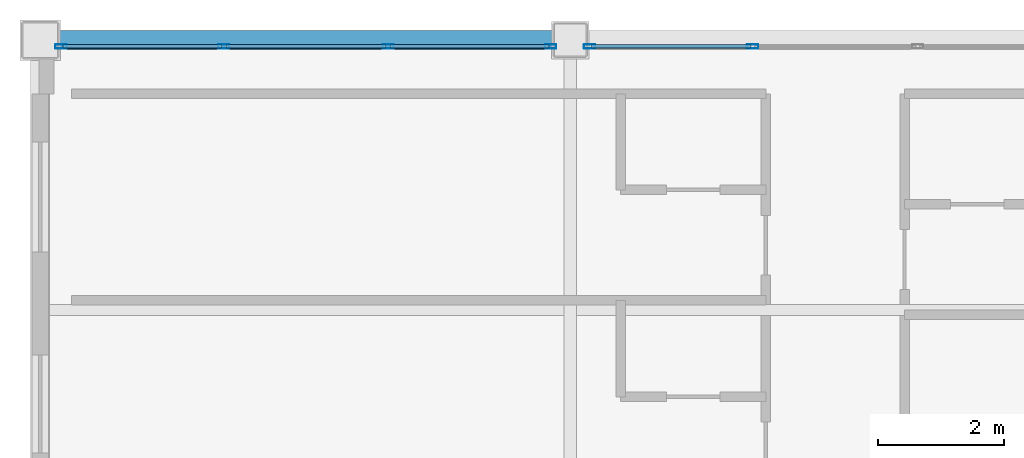
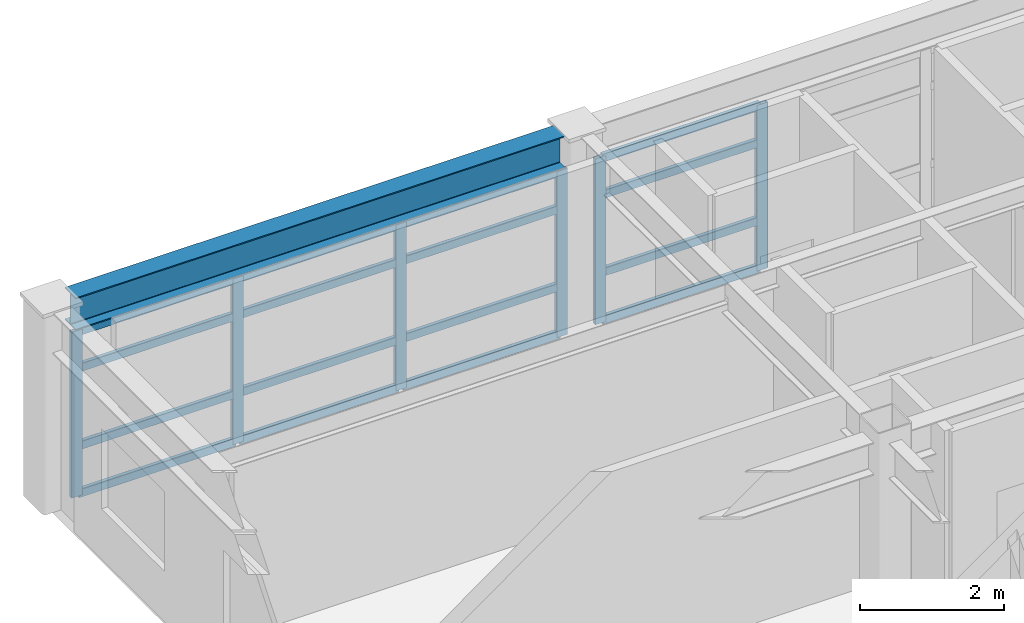
# One storey, part 19 of 36: 22 members, 1 beam, 2 elements without a shape of their own.
"""IFC4 building model written with IfcOpenShell, lengths in metres."""

from ifc_helpers import new_model, si_unit, direction, frame, origin, origin_2d, place, context, subcontext, project, spatial, hollow_rectangle, i_section, extrude, material, layer, layer_set, material_profile, profile_set, type_object, element, aggregate, save


model = new_model("IFC4")

# Units and contexts
model_context = context("Model", 3, precision=1e-05, world=origin(), true_north=direction((0.0, 1.0)))
body_context = subcontext(model_context, "Body", "Model", "MODEL_VIEW")
ifc_project = project(units=[si_unit("LENGTHUNIT", "METRE"), si_unit("AREAUNIT", "SQUARE_METRE"), si_unit("VOLUMEUNIT", "CUBIC_METRE"), si_unit("PLANEANGLEUNIT", "RADIAN"), si_unit("MASSUNIT", "GRAM", prefix="KILO")], contexts=[model_context])

# Site, building, storey
site_placement = place(None, origin())
site = spatial("IfcSite", under=ifc_project, at=site_placement, CompositionType="ELEMENT")
building_placement = place(site_placement, origin())
building = spatial("IfcBuilding", under=site, at=building_placement, Name="Kazehara Bluff Congress Hotel", CompositionType="ELEMENT")
storey_placement = place(building_placement, frame((0.0, 0.0, 28.199951171875)))
storey = spatial("IfcBuildingStorey", under=building, at=storey_placement, Name="L06", CompositionType="ELEMENT", Elevation=28.199951171875)

# Curtain wall, members
ifc_material_1 = material(Name="Anodised aluminium", Category="aluminium")
ifc_layer_1 = layer(ifc_material_1, 0.159912109375)
ifc_layer_set_1 = layer_set([ifc_layer_1], Name="Anodised aluminium")
curtain_wall_type_1 = type_object("IfcCurtainWallType", Name="TP-CW-171", PredefinedType="NOTDEFINED", material=ifc_layer_set_1)
curtain_wall_1_placement = place(storey_placement, origin())
curtain_wall_1 = element("IfcCurtainWall", 1, at=curtain_wall_1_placement, inside=storey, type_object=curtain_wall_type_1, Name="L06 curtain wall CW-171 CW-ENC-V5-L06-14791-10535", PredefinedType="NOTDEFINED")
ifc_material_2 = material(Name="Anodised aluminium", Category="aluminium")
ifc_material_profile_1 = material_profile(ifc_material_2, hollow_rectangle(XDim=0.06494140625, YDim=0.179931640625, WallThickness=0.00390625, InnerFilletRadius=0.00390625, OuterFilletRadius=0.008056640625, at=origin_2d()))
ifc_profile_set_1 = profile_set([ifc_material_profile_1], Name="Anodised aluminium")
member_type_1 = type_object("IfcMemberType", Name="TP-CWM-02", PredefinedType="MULLION", material=ifc_profile_set_1)
member_1_placement = place(storey_placement, frame((144.032470703125, 105.35009765625, 0.0), z_axis=(0.0, 0.0, 1.0), x_axis=(0.0, 1.0, 0.0)))
member_1 = element("IfcMember", 2, at=member_1_placement, type_object=member_type_1, Name="CW-171 mullion 1", PredefinedType="MULLION", context=body_context, shape_type="SweptSolid", body=[
    extrude(hollow_rectangle(XDim=0.06494140625, YDim=0.179931640625, WallThickness=0.00390625, InnerFilletRadius=0.00390625, OuterFilletRadius=0.008056640625, at=origin_2d()), origin(), (0.0, 0.0, 1.0), 2.804931640625),
])
member_2_placement = place(storey_placement, frame((146.6083984375, 105.35009765625, 0.0), z_axis=(0.0, 0.0, 1.0), x_axis=(0.0, 1.0, 0.0)))
member_2 = element("IfcMember", 3, at=member_2_placement, type_object=member_type_1, Name="CW-171 mullion 2", PredefinedType="MULLION", context=body_context, shape_type="SweptSolid", body=[
    extrude(hollow_rectangle(XDim=0.06494140625, YDim=0.179931640625, WallThickness=0.00390625, InnerFilletRadius=0.00390625, OuterFilletRadius=0.008056640625, at=origin_2d()), origin(), (0.0, 0.0, 1.0), 2.804931640625),
])
member_3_placement = place(storey_placement, frame((149.216552734375, 105.35009765625, 0.0), z_axis=(0.0, 0.0, 1.0), x_axis=(0.0, 1.0, 0.0)))
member_3 = element("IfcMember", 4, at=member_3_placement, type_object=member_type_1, Name="CW-171 mullion 3", PredefinedType="MULLION", context=body_context, shape_type="SweptSolid", body=[
    extrude(hollow_rectangle(XDim=0.06494140625, YDim=0.179931640625, WallThickness=0.00390625, InnerFilletRadius=0.00390625, OuterFilletRadius=0.008056640625, at=origin_2d()), origin(), (0.0, 0.0, 1.0), 2.804931640625),
])
member_4_placement = place(storey_placement, frame((151.79248046875, 105.35009765625, 0.0), z_axis=(0.0, 0.0, 1.0), x_axis=(0.0, 1.0, 0.0)))
member_4 = element("IfcMember", 5, at=member_4_placement, type_object=member_type_1, Name="CW-171 mullion 4", PredefinedType="MULLION", context=body_context, shape_type="SweptSolid", body=[
    extrude(hollow_rectangle(XDim=0.06494140625, YDim=0.179931640625, WallThickness=0.00390625, InnerFilletRadius=0.00390625, OuterFilletRadius=0.008056640625, at=origin_2d()), origin(), (0.0, 0.0, 1.0), 2.804931640625),
])

ifc_material_3 = material(Name="Anodised aluminium", Category="aluminium")
ifc_layer_2 = layer(ifc_material_3, 0.159912109375)
ifc_layer_set_2 = layer_set([ifc_layer_2], Name="Anodised aluminium")
curtain_wall_type_2 = type_object("IfcCurtainWallType", Name="TP-CW-172", PredefinedType="NOTDEFINED", material=ifc_layer_set_2)
curtain_wall_2_placement = place(storey_placement, origin())
curtain_wall_2 = element("IfcCurtainWall", 6, at=curtain_wall_2_placement, inside=storey, type_object=curtain_wall_type_2, Name="L06 curtain wall CW-172 CW-ENC-V5-L06-15630-10535", PredefinedType="NOTDEFINED")
member_5_placement = place(storey_placement, frame((152.407470703125, 105.35009765625, 0.0), z_axis=(0.0, 0.0, 1.0), x_axis=(0.0, 1.0, 0.0)))
member_5 = element("IfcMember", 7, at=member_5_placement, type_object=member_type_1, Name="CW-172 mullion 1", PredefinedType="MULLION", context=body_context, shape_type="SweptSolid", body=[
    extrude(hollow_rectangle(XDim=0.06494140625, YDim=0.179931640625, WallThickness=0.00390625, InnerFilletRadius=0.00390625, OuterFilletRadius=0.008056640625, at=origin_2d()), origin(), (0.0, 0.0, 1.0), 2.804931640625),
])
member_6_placement = place(storey_placement, frame((154.99169921875, 105.35009765625, 0.0), z_axis=(0.0, 0.0, 1.0), x_axis=(0.0, 1.0, 0.0)))
member_6 = element("IfcMember", 8, at=member_6_placement, type_object=member_type_1, Name="CW-172 mullion 2", PredefinedType="MULLION", context=body_context, shape_type="SweptSolid", body=[
    extrude(hollow_rectangle(XDim=0.06494140625, YDim=0.179931640625, WallThickness=0.00390625, InnerFilletRadius=0.00390625, OuterFilletRadius=0.008056640625, at=origin_2d()), origin(), (0.0, 0.0, 1.0), 2.804931640625),
])

# Member
ifc_material_4 = material(Name="Anodised aluminium", Category="aluminium")
ifc_material_profile_2 = material_profile(ifc_material_4, hollow_rectangle(XDim=0.06494140625, YDim=0.139892578125, WallThickness=0.00390625, InnerFilletRadius=0.00390625, OuterFilletRadius=0.008056640625, at=origin_2d()))
ifc_profile_set_2 = profile_set([ifc_material_profile_2], Name="Anodised aluminium")
member_type_2 = type_object("IfcMemberType", Name="TP-CWT-02", PredefinedType="USERDEFINED", material=ifc_profile_set_2)
member_7_placement = place(storey_placement, frame((144.06494140625, 105.35009765625, 0.032470703125), z_axis=(1.0, 0.0, 0.0), x_axis=(0.0, 1.0, 0.0)))
member_7 = element("IfcMember", 9, at=member_7_placement, type_object=member_type_2, Name="CW-171 transom 1.1", ObjectType="TRANSOM", PredefinedType="USERDEFINED", context=body_context, shape_type="SweptSolid", body=[
    extrude(hollow_rectangle(XDim=0.06494140625, YDim=0.139892578125, WallThickness=0.00390625, InnerFilletRadius=0.00390625, OuterFilletRadius=0.008056640625, at=origin_2d()), origin(), (0.0, 0.0, 1.0), 2.510986328125),
])

member_8_placement = place(storey_placement, frame((144.06494140625, 105.35009765625, 0.840087890625), z_axis=(1.0, 0.0, 0.0), x_axis=(0.0, 1.0, 0.0)))
member_8 = element("IfcMember", 10, at=member_8_placement, type_object=member_type_2, Name="CW-171 transom 1.2", ObjectType="TRANSOM", PredefinedType="USERDEFINED", context=body_context, shape_type="SweptSolid", body=[
    extrude(hollow_rectangle(XDim=0.06494140625, YDim=0.139892578125, WallThickness=0.00390625, InnerFilletRadius=0.00390625, OuterFilletRadius=0.008056640625, at=origin_2d()), origin(), (0.0, 0.0, 1.0), 2.510986328125),
])

member_9_placement = place(storey_placement, frame((144.06494140625, 105.35009765625, 2.155029296875), z_axis=(1.0, 0.0, 0.0), x_axis=(0.0, 1.0, 0.0)))
member_9 = element("IfcMember", 11, at=member_9_placement, type_object=member_type_2, Name="CW-171 transom 1.3", ObjectType="TRANSOM", PredefinedType="USERDEFINED", context=body_context, shape_type="SweptSolid", body=[
    extrude(hollow_rectangle(XDim=0.06494140625, YDim=0.139892578125, WallThickness=0.00390625, InnerFilletRadius=0.00390625, OuterFilletRadius=0.008056640625, at=origin_2d()), origin(), (0.0, 0.0, 1.0), 2.510986328125),
])

member_10_placement = place(storey_placement, frame((144.06494140625, 105.35009765625, 2.7724609375), z_axis=(1.0, 0.0, 0.0), x_axis=(0.0, 1.0, 0.0)))
member_10 = element("IfcMember", 12, at=member_10_placement, type_object=member_type_2, Name="CW-171 transom 1.4", ObjectType="TRANSOM", PredefinedType="USERDEFINED", context=body_context, shape_type="SweptSolid", body=[
    extrude(hollow_rectangle(XDim=0.06494140625, YDim=0.139892578125, WallThickness=0.00390625, InnerFilletRadius=0.00390625, OuterFilletRadius=0.008056640625, at=origin_2d()), origin(), (0.0, 0.0, 1.0), 2.510986328125),
])

member_11_placement = place(storey_placement, frame((146.640869140625, 105.35009765625, 0.032470703125), z_axis=(1.0, 0.0, 0.0), x_axis=(0.0, 1.0, 0.0)))
member_11 = element("IfcMember", 13, at=member_11_placement, type_object=member_type_2, Name="CW-171 transom 2.1", ObjectType="TRANSOM", PredefinedType="USERDEFINED", context=body_context, shape_type="SweptSolid", body=[
    extrude(hollow_rectangle(XDim=0.06494140625, YDim=0.139892578125, WallThickness=0.00390625, InnerFilletRadius=0.00390625, OuterFilletRadius=0.008056640625, at=origin_2d()), origin(), (0.0, 0.0, 1.0), 2.543212890625),
])

member_12_placement = place(storey_placement, frame((146.640869140625, 105.35009765625, 0.840087890625), z_axis=(1.0, 0.0, 0.0), x_axis=(0.0, 1.0, 0.0)))
member_12 = element("IfcMember", 14, at=member_12_placement, type_object=member_type_2, Name="CW-171 transom 2.2", ObjectType="TRANSOM", PredefinedType="USERDEFINED", context=body_context, shape_type="SweptSolid", body=[
    extrude(hollow_rectangle(XDim=0.06494140625, YDim=0.139892578125, WallThickness=0.00390625, InnerFilletRadius=0.00390625, OuterFilletRadius=0.008056640625, at=origin_2d()), origin(), (0.0, 0.0, 1.0), 2.543212890625),
])

member_13_placement = place(storey_placement, frame((146.640869140625, 105.35009765625, 2.155029296875), z_axis=(1.0, 0.0, 0.0), x_axis=(0.0, 1.0, 0.0)))
member_13 = element("IfcMember", 15, at=member_13_placement, type_object=member_type_2, Name="CW-171 transom 2.3", ObjectType="TRANSOM", PredefinedType="USERDEFINED", context=body_context, shape_type="SweptSolid", body=[
    extrude(hollow_rectangle(XDim=0.06494140625, YDim=0.139892578125, WallThickness=0.00390625, InnerFilletRadius=0.00390625, OuterFilletRadius=0.008056640625, at=origin_2d()), origin(), (0.0, 0.0, 1.0), 2.543212890625),
])

member_14_placement = place(storey_placement, frame((146.640869140625, 105.35009765625, 2.7724609375), z_axis=(1.0, 0.0, 0.0), x_axis=(0.0, 1.0, 0.0)))
member_14 = element("IfcMember", 16, at=member_14_placement, type_object=member_type_2, Name="CW-171 transom 2.4", ObjectType="TRANSOM", PredefinedType="USERDEFINED", context=body_context, shape_type="SweptSolid", body=[
    extrude(hollow_rectangle(XDim=0.06494140625, YDim=0.139892578125, WallThickness=0.00390625, InnerFilletRadius=0.00390625, OuterFilletRadius=0.008056640625, at=origin_2d()), origin(), (0.0, 0.0, 1.0), 2.543212890625),
])

member_15_placement = place(storey_placement, frame((149.249267578125, 105.35009765625, 0.032470703125), z_axis=(1.0, 0.0, 0.0), x_axis=(0.0, 1.0, 0.0)))
member_15 = element("IfcMember", 17, at=member_15_placement, type_object=member_type_2, Name="CW-171 transom 3.1", ObjectType="TRANSOM", PredefinedType="USERDEFINED", context=body_context, shape_type="SweptSolid", body=[
    extrude(hollow_rectangle(XDim=0.06494140625, YDim=0.139892578125, WallThickness=0.00390625, InnerFilletRadius=0.00390625, OuterFilletRadius=0.008056640625, at=origin_2d()), origin(), (0.0, 0.0, 1.0), 2.5107421875),
])

member_16_placement = place(storey_placement, frame((149.249267578125, 105.35009765625, 0.840087890625), z_axis=(1.0, 0.0, 0.0), x_axis=(0.0, 1.0, 0.0)))
member_16 = element("IfcMember", 18, at=member_16_placement, type_object=member_type_2, Name="CW-171 transom 3.2", ObjectType="TRANSOM", PredefinedType="USERDEFINED", context=body_context, shape_type="SweptSolid", body=[
    extrude(hollow_rectangle(XDim=0.06494140625, YDim=0.139892578125, WallThickness=0.00390625, InnerFilletRadius=0.00390625, OuterFilletRadius=0.008056640625, at=origin_2d()), origin(), (0.0, 0.0, 1.0), 2.5107421875),
])

member_17_placement = place(storey_placement, frame((149.249267578125, 105.35009765625, 2.155029296875), z_axis=(1.0, 0.0, 0.0), x_axis=(0.0, 1.0, 0.0)))
member_17 = element("IfcMember", 19, at=member_17_placement, type_object=member_type_2, Name="CW-171 transom 3.3", ObjectType="TRANSOM", PredefinedType="USERDEFINED", context=body_context, shape_type="SweptSolid", body=[
    extrude(hollow_rectangle(XDim=0.06494140625, YDim=0.139892578125, WallThickness=0.00390625, InnerFilletRadius=0.00390625, OuterFilletRadius=0.008056640625, at=origin_2d()), origin(), (0.0, 0.0, 1.0), 2.5107421875),
])

member_18_placement = place(storey_placement, frame((149.249267578125, 105.35009765625, 2.7724609375), z_axis=(1.0, 0.0, 0.0), x_axis=(0.0, 1.0, 0.0)))
member_18 = element("IfcMember", 20, at=member_18_placement, type_object=member_type_2, Name="CW-171 transom 3.4", ObjectType="TRANSOM", PredefinedType="USERDEFINED", context=body_context, shape_type="SweptSolid", body=[
    extrude(hollow_rectangle(XDim=0.06494140625, YDim=0.139892578125, WallThickness=0.00390625, InnerFilletRadius=0.00390625, OuterFilletRadius=0.008056640625, at=origin_2d()), origin(), (0.0, 0.0, 1.0), 2.5107421875),
])

aggregate(curtain_wall_1, [member_1, member_2, member_3, member_4, member_7, member_8, member_9, member_10, member_11, member_12, member_13, member_14, member_15, member_16, member_17, member_18])

member_19_placement = place(storey_placement, frame((152.43994140625, 105.35009765625, 0.032470703125), z_axis=(1.0, 0.0, 0.0), x_axis=(0.0, 1.0, 0.0)))
member_19 = element("IfcMember", 21, at=member_19_placement, type_object=member_type_2, Name="CW-172 transom 1.1", ObjectType="TRANSOM", PredefinedType="USERDEFINED", context=body_context, shape_type="SweptSolid", body=[
    extrude(hollow_rectangle(XDim=0.06494140625, YDim=0.139892578125, WallThickness=0.00390625, InnerFilletRadius=0.00390625, OuterFilletRadius=0.008056640625, at=origin_2d()), origin(), (0.0, 0.0, 1.0), 2.519287109375),
])

member_20_placement = place(storey_placement, frame((152.43994140625, 105.35009765625, 0.840087890625), z_axis=(1.0, 0.0, 0.0), x_axis=(0.0, 1.0, 0.0)))
member_20 = element("IfcMember", 22, at=member_20_placement, type_object=member_type_2, Name="CW-172 transom 1.2", ObjectType="TRANSOM", PredefinedType="USERDEFINED", context=body_context, shape_type="SweptSolid", body=[
    extrude(hollow_rectangle(XDim=0.06494140625, YDim=0.139892578125, WallThickness=0.00390625, InnerFilletRadius=0.00390625, OuterFilletRadius=0.008056640625, at=origin_2d()), origin(), (0.0, 0.0, 1.0), 2.519287109375),
])

member_21_placement = place(storey_placement, frame((152.43994140625, 105.35009765625, 2.155029296875), z_axis=(1.0, 0.0, 0.0), x_axis=(0.0, 1.0, 0.0)))
member_21 = element("IfcMember", 23, at=member_21_placement, type_object=member_type_2, Name="CW-172 transom 1.3", ObjectType="TRANSOM", PredefinedType="USERDEFINED", context=body_context, shape_type="SweptSolid", body=[
    extrude(hollow_rectangle(XDim=0.06494140625, YDim=0.139892578125, WallThickness=0.00390625, InnerFilletRadius=0.00390625, OuterFilletRadius=0.008056640625, at=origin_2d()), origin(), (0.0, 0.0, 1.0), 2.519287109375),
])

member_22_placement = place(storey_placement, frame((152.43994140625, 105.35009765625, 2.7724609375), z_axis=(1.0, 0.0, 0.0), x_axis=(0.0, 1.0, 0.0)))
member_22 = element("IfcMember", 24, at=member_22_placement, type_object=member_type_2, Name="CW-172 transom 1.4", ObjectType="TRANSOM", PredefinedType="USERDEFINED", context=body_context, shape_type="SweptSolid", body=[
    extrude(hollow_rectangle(XDim=0.06494140625, YDim=0.139892578125, WallThickness=0.00390625, InnerFilletRadius=0.00390625, OuterFilletRadius=0.008056640625, at=origin_2d()), origin(), (0.0, 0.0, 1.0), 2.519287109375),
])

aggregate(curtain_wall_2, [member_5, member_6, member_19, member_20, member_21, member_22])

# Beam
ifc_material_5 = material(Name="Steel SN490B", Category="steel")
ifc_material_profile_3 = material_profile(ifc_material_5, i_section(OverallWidth=0.300048828125, OverallDepth=0.550048828125, WebThickness=0.010986328125, FlangeThickness=0.01806640625, FilletRadius=0.012939453125, at=origin_2d()))
ifc_profile_set_3 = profile_set([ifc_material_profile_3], Name="Steel SN490B")
beam_type = type_object("IfcBeamType", Name="TP-G-12", PredefinedType="BEAM", material=ifc_profile_set_3)
beam_placement = place(storey_placement, frame((144.0, 105.449951171875, 3.10498046875), z_axis=(1.0, 0.0, 0.0), x_axis=(0.0, 1.0, 0.0)))
element("IfcBeam", 25, at=beam_placement, inside=storey, type_object=beam_type, Name="L06 girder G-12 79", PredefinedType="BEAM", context=body_context, shape_type="SweptSolid", body=[
    extrude(i_section(OverallWidth=0.300048828125, OverallDepth=0.550048828125, WebThickness=0.010986328125, FlangeThickness=0.01806640625, FilletRadius=0.012939453125, at=origin_2d()), origin(), (0.0, 0.0, 1.0), 7.824951171875),
])

save(model, "model.ifc")
